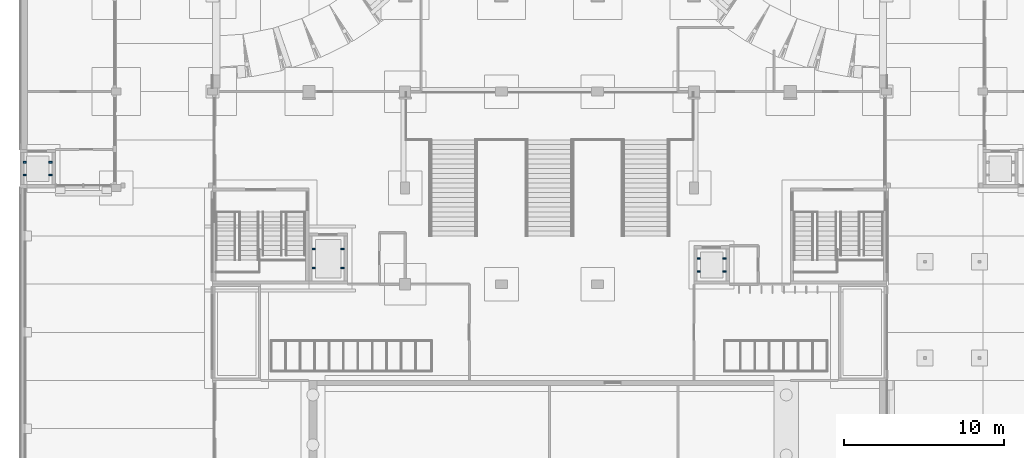
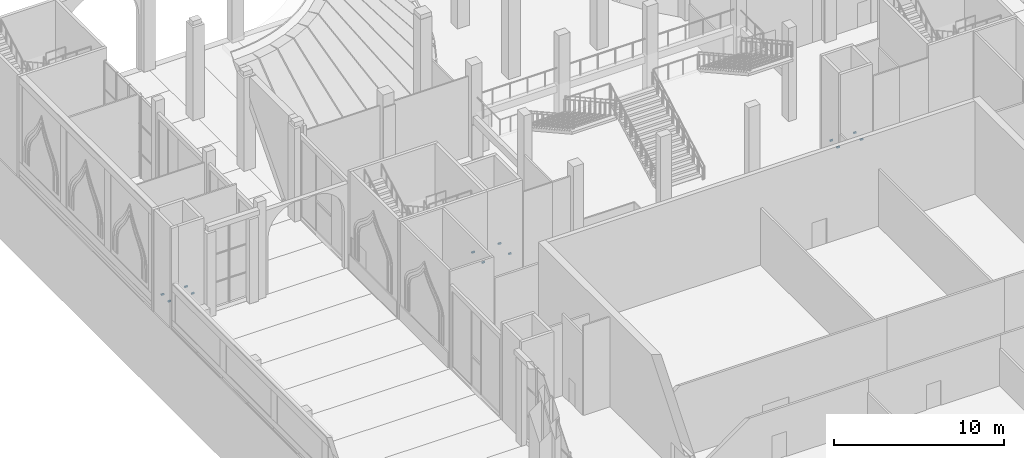
# One storey, part 58 of 95: 12 discrete accessories.
"""IFC4 building model written with IfcOpenShell, lengths in metres."""

from ifc_helpers import new_model, si_unit, direction, frame, origin, origin_2d, place, context, subcontext, project, spatial, rectangle, extrude, element, save


model = new_model("IFC4")

# Units and contexts
model_context = context("Model", 3, precision=1e-05, world=origin(), true_north=direction((0.0, 1.0)))
body_context = subcontext(model_context, "Body", "Model", "MODEL_VIEW")
ifc_project = project(units=[si_unit("LENGTHUNIT", "METRE"), si_unit("AREAUNIT", "SQUARE_METRE"), si_unit("VOLUMEUNIT", "CUBIC_METRE"), si_unit("PLANEANGLEUNIT", "RADIAN"), si_unit("MASSUNIT", "GRAM", prefix="KILO")], contexts=[model_context])

# Site, building, storey
site_placement = place(None, origin())
site = spatial("IfcSite", under=ifc_project, at=site_placement, CompositionType="ELEMENT")
building_placement = place(site_placement, origin())
building = spatial("IfcBuilding", under=site, at=building_placement, Name="Saffron Lane Theatres", CompositionType="ELEMENT")
storey_placement = place(building_placement, origin())
storey = spatial("IfcBuildingStorey", under=building, at=storey_placement, Name="L00", CompositionType="ELEMENT", Elevation=0.0)

# Discrete accessories
for number, where, z_axis, x_axis, name in (
    (1, (18.300048828125, 97.0, 1.14990234375), (0.0, 0.0, 1.0), (1.0, 0.0, 0.0), "Brick Block Stretcher Lift guide bracket"),
    (2, (18.300048828125, 98.199951171875, 1.14990234375), (0.0, 0.0, 1.0), (1.0, 0.0, 0.0), "Brick Block Stretcher Lift guide bracket"),
    (3, (20.10009765625, 97.0, 1.14990234375), (0.0, 0.0, 1.0), (1.0, 0.0, 0.0), "Brick Block Stretcher Lift guide bracket"),
    (4, (20.10009765625, 98.199951171875, 1.14990234375), (0.0, 0.0, 1.0), (1.0, 0.0, 0.0), "Brick Block Stretcher Lift guide bracket"),
    (5, (42.300048828125, 96.800048828125, 1.14990234375), (0.0, 0.0, 1.0), (1.0, 0.0, 0.0), "Brick Block Passenger Lift guide bracket"),
    (6, (42.300048828125, 97.60009765625, 1.14990234375), (0.0, 0.0, 1.0), (1.0, 0.0, 0.0), "Brick Block Passenger Lift guide bracket"),
    (7, (43.89990234375, 96.800048828125, 1.14990234375), (0.0, 0.0, 1.0), (1.0, 0.0, 0.0), "Brick Block Passenger Lift guide bracket"),
    (8, (43.89990234375, 97.60009765625, 1.14990234375), (0.0, 0.0, 1.0), (1.0, 0.0, 0.0), "Brick Block Passenger Lift guide bracket"),
    (9, (0.300048828125, 102.800048828125, 1.14990234375), (0.0, 0.0, 1.0), (1.0, 0.0, 0.0), "West Wing Accessible Lift guide bracket"),
    (10, (0.300048828125, 103.60009765625, 1.14990234375), (0.0, 0.0, 1.0), (1.0, 0.0, 0.0), "West Wing Accessible Lift guide bracket"),
    (11, (1.89990234375, 102.800048828125, 1.14990234375), (0.0, 0.0, 1.0), (1.0, 0.0, 0.0), "West Wing Accessible Lift guide bracket"),
    (12, (1.89990234375, 103.60009765625, 1.14990234375), (0.0, 0.0, 1.0), (1.0, 0.0, 0.0), "West Wing Accessible Lift guide bracket"),
):
    element("IfcDiscreteAccessory", number, at=place(storey_placement, frame(where, z_axis=z_axis, x_axis=x_axis)), inside=storey, Name=name, PredefinedType="BRACKET", context=body_context, shape_type="SweptSolid", body=[
        extrude(rectangle(XDim=0.199951171875, YDim=0.10009765625, at=origin_2d()), origin(), (0.0, 0.0, 1.0), 0.10009765625),
    ])

save(model, "model.ifc")
